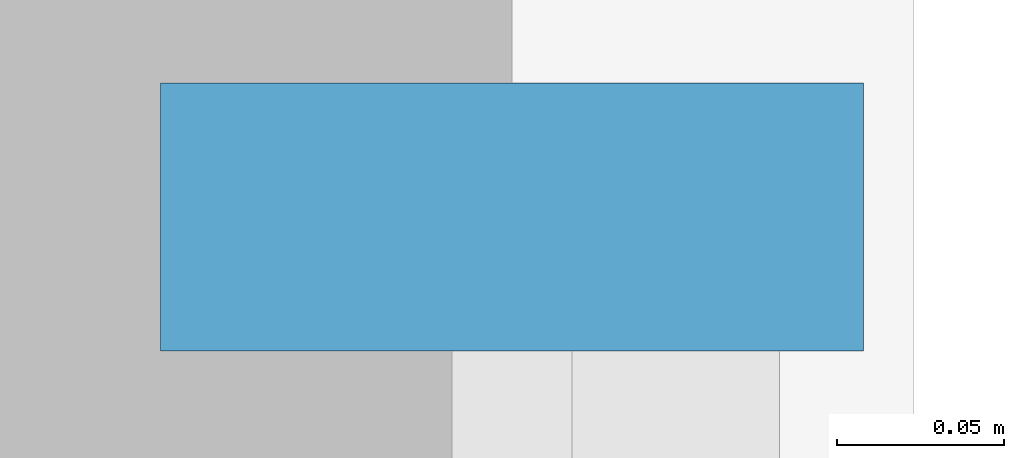
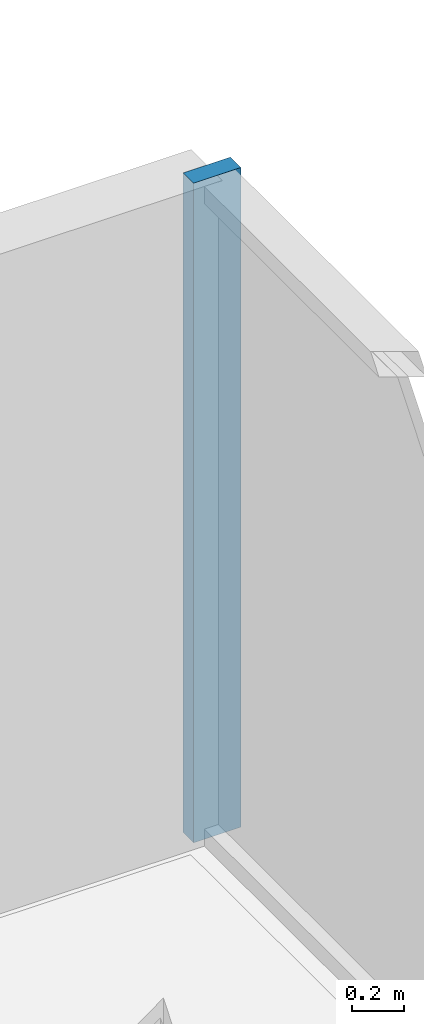
# One storey, part 5 of 12: 1 member, 1 element without a shape of its own.
"""IFC4 building model written with IfcOpenShell, lengths in metres."""

from ifc_helpers import new_model, si_unit, direction, frame, origin, origin_2d, place, context, subcontext, project, spatial, rectangle, extrude, source, transform, mapped, material, layer, layer_set, material_profile, profile_set, type_object, element, aggregate, save


model = new_model("IFC4")

# Units and contexts
model_context = context("Model", 3, precision=1e-05, world=origin(), true_north=direction((0.0, 1.0)))
body_context = subcontext(model_context, "Body", "Model", "MODEL_VIEW")
ifc_project = project(units=[si_unit("LENGTHUNIT", "METRE"), si_unit("AREAUNIT", "SQUARE_METRE"), si_unit("VOLUMEUNIT", "CUBIC_METRE"), si_unit("PLANEANGLEUNIT", "RADIAN"), si_unit("MASSUNIT", "GRAM", prefix="KILO")], contexts=[model_context])

# Site, building, storey
site_placement = place(None, origin())
site = spatial("IfcSite", under=ifc_project, at=site_placement, CompositionType="ELEMENT")
building_placement = place(site_placement, origin())
building = spatial("IfcBuilding", under=site, at=building_placement, Name="Qianlan Lanfeng Residences", CompositionType="ELEMENT")
storey_placement = place(building_placement, frame((0.0, 0.0, 101.5)))
storey = spatial("IfcBuildingStorey", under=building, at=storey_placement, Name="L27", CompositionType="ELEMENT", Elevation=101.5)

# Curtain wall, member
ifc_material = material(Name="Anodised Bronze Aluminium 6063-T6", Category="aluminium")
ifc_layer = layer(ifc_material, 0.219970703125)
ifc_layer_set = layer_set([ifc_layer], Name="Anodised Bronze Aluminium 6063-T6")
curtain_wall_type = type_object("IfcCurtainWallType", Name="CW-03", PredefinedType="NOTDEFINED", material=ifc_layer_set)
curtain_wall_placement = place(storey_placement, origin())
curtain_wall = element("IfcCurtainWall", 1, at=curtain_wall_placement, inside=storey, type_object=curtain_wall_type, Name="L27 Unitised Curtain Wall CWR-L27-05 (CW-03)", PredefinedType="NOTDEFINED")
ifc_material_profile = material_profile(ifc_material, rectangle(XDim=0.080078125, YDim=0.2099609375, at=origin_2d()), Name="ALU MULLION 80x210")
ifc_profile_set = profile_set([ifc_material_profile], Name="Anodised Bronze Aluminium 6063-T6")
member_type = type_object("IfcMemberType", Name="CWM-220", PredefinedType="MULLION", material=ifc_profile_set)
shared_shape = source(origin(), body_context, "Body", "SweptSolid", [
    extrude(rectangle(XDim=0.080078125, YDim=0.2099609375, at=origin_2d()), origin(), (0.0, 0.0, 1.0), 3.090087890625),
])
member_placement = place(storey_placement, frame((51.3798828125, 35.2900390625, 0.0), z_axis=(0.0, 0.0, 1.0), x_axis=(0.0, 1.0, 0.0)))
member = element("IfcMember", 2, at=member_placement, type_object=member_type, Name="CWR-L27-05 Mullion 3", PredefinedType="MULLION", context=body_context, shape_type="MappedRepresentation", body=[
    mapped(shared_shape, transform((0.0, 0.0, 0.0), scale=1.0)),
])
aggregate(curtain_wall, [member])

save(model, "model.ifc")
